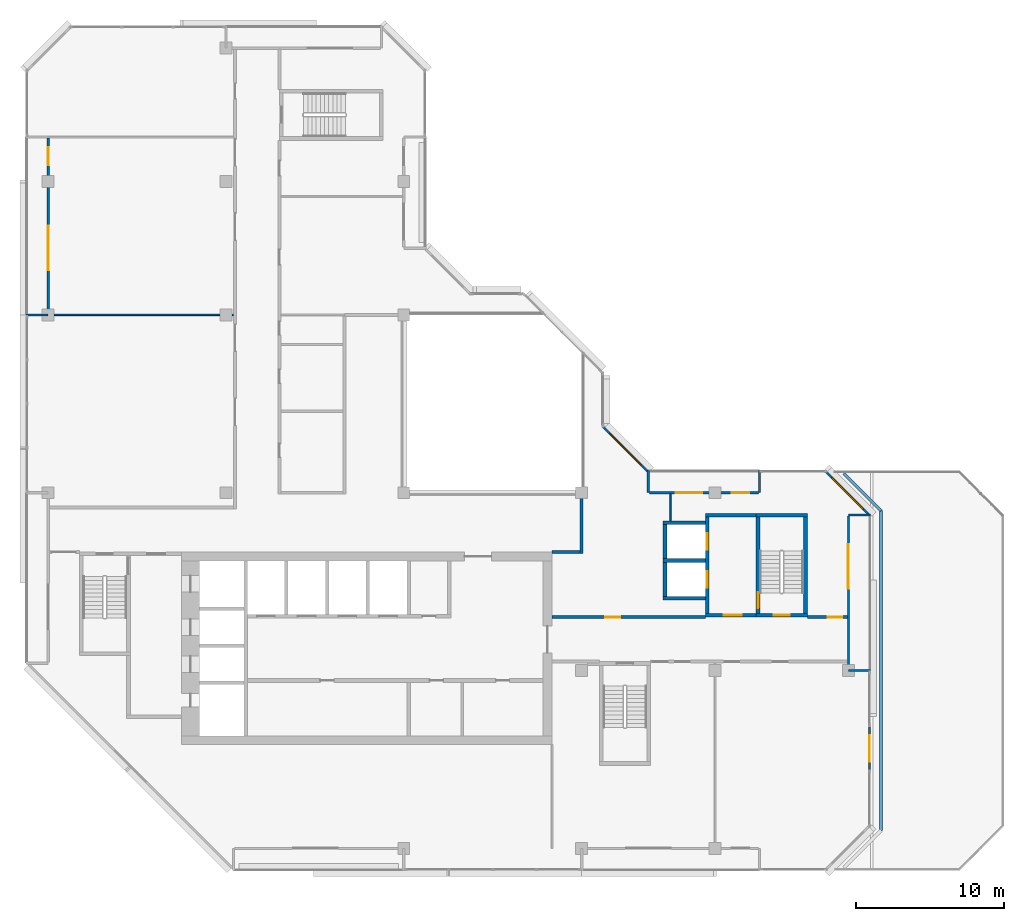
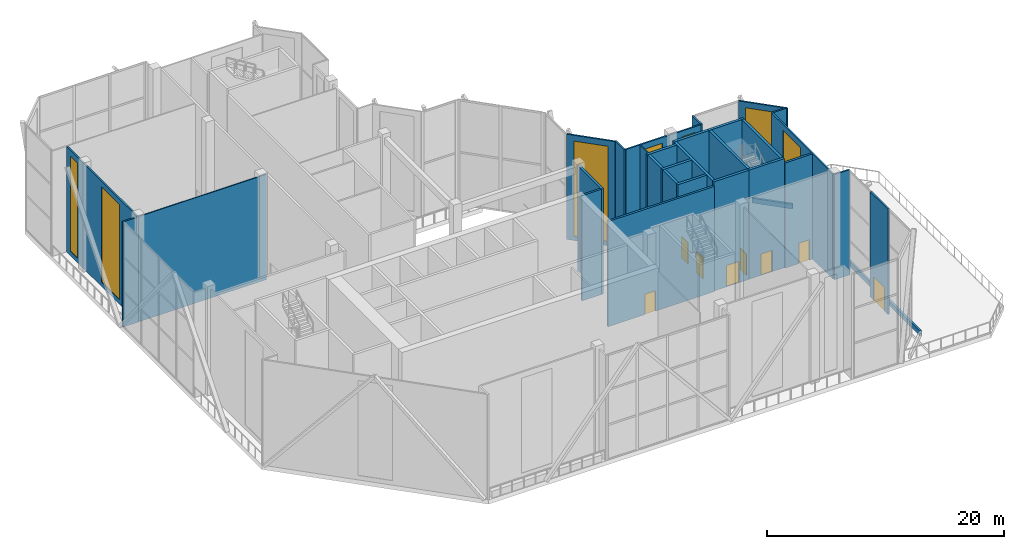
# One storey, part 10 of 16: 31 walls, 8 doors, 7 windows, 15 openings.
"""IFC4 building model written with IfcOpenShell, lengths in metres."""

from ifc_helpers import new_model, si_unit, direction, frame, frame_2d, origin, place, context, subcontext, project, spatial, rectangle, extrude, material, layer, layer_set, type_object, element, fill, save


model = new_model("IFC4")

# Units and contexts
model_context = context("Model", 3, precision=1e-05, world=origin(), true_north=direction((0.0, 1.0)))
body_context = subcontext(model_context, "Body", "Model", "MODEL_VIEW")
ifc_project = project(units=[si_unit("LENGTHUNIT", "METRE"), si_unit("AREAUNIT", "SQUARE_METRE"), si_unit("VOLUMEUNIT", "CUBIC_METRE"), si_unit("PLANEANGLEUNIT", "RADIAN"), si_unit("MASSUNIT", "GRAM", prefix="KILO")], contexts=[model_context])

# Site, building, storey
site_placement = place(None, origin())
site = spatial("IfcSite", under=ifc_project, at=site_placement, CompositionType="ELEMENT")
building_placement = place(site_placement, origin())
building = spatial("IfcBuilding", under=site, at=building_placement, Name="Chenar Terraces", CompositionType="ELEMENT")
storey_placement = place(building_placement, frame((0.0, 0.0, 327.64990234375)))
storey = spatial("IfcBuildingStorey", under=building, at=storey_placement, Name="L77", CompositionType="ELEMENT", Elevation=327.64990234375)

# Wall, opening, door
ifc_material_1 = material(Name="Concrete C50/60", Category="concrete")
ifc_layer_1 = layer(ifc_material_1, 0.25)
ifc_layer_set_1 = layer_set([ifc_layer_1], Name="Concrete C50/60")
wall_type_1 = type_object("IfcWallType", Name="Core wall 250 Concrete C50/60", PredefinedType="SHEAR", material=ifc_layer_set_1)
wall_1_placement = place(storey_placement, frame((47.77490234375, 15.72509765625, 0.0), z_axis=(0.0, 0.0, 1.0), x_axis=(1.0, 0.0, 0.0)))
wall_1 = element("IfcWall", 1, at=wall_1_placement, inside=storey, type_object=wall_type_1, Name="Core wall ST3_S L77", PredefinedType="SHEAR", context=body_context, shape_type="SweptSolid", body=[
    extrude(rectangle(XDim=3.4501953125, YDim=0.25, at=frame_2d((1.72509765625, 0.0))), origin(), (0.0, 0.0, 1.0), 11.25),
])
opening_1_placement = place(wall_1_placement, frame((1.175048828125, 0.0, 0.0)))
opening_1 = element("IfcOpeningElement", 2, at=opening_1_placement, cuts=wall_1, Name="Opening DL77-C8", PredefinedType="OPENING", context=body_context, shape_type="SweptSolid", body=[
    extrude(rectangle(XDim=1.10009765625, YDim=2.199951171875, at=frame_2d((0.550048828125, 1.10009765625))), frame((0.0, 0.135009765625, 0.0), z_axis=(0.0, -1.0, 0.0), x_axis=(1.0, 0.0, 0.0)), (0.0, 0.0, 1.0), 0.27001953125),
])
ifc_material_2 = material(Name="Steel-framed fire-resisting door leaf", Category="steel")
door_type_1 = type_object("IfcDoorType", Name="Stair fire door FD60 1100 x 2200", OperationType="SINGLE_SWING_LEFT", PredefinedType="DOOR", material=ifc_material_2)
door_1_placement = place(opening_1_placement, frame((1.10009765625, 0.0, 0.0), z_axis=(0.0, 0.0, 1.0), x_axis=(-1.0, 0.0, 0.0)))
door_1 = element("IfcDoor", 3, at=door_1_placement, inside=storey, type_object=door_type_1, Name="Stair door DL77-C8", OperationType="SINGLE_SWING_LEFT", OverallHeight=2.199951171875, OverallWidth=1.10009765625, PredefinedType="DOOR", context=body_context, shape_type="SweptSolid", body=[
    extrude(rectangle(XDim=1.10009765625, YDim=2.199951171875, at=frame_2d((0.550048828125, 1.10009765625))), frame((0.0, 0.02490234375, 0.0), z_axis=(0.0, -1.0, 0.0), x_axis=(1.0, 0.0, 0.0)), (0.0, 0.0, 1.0), 0.050048828125),
])
fill(opening_1, door_1)

# Wall
wall_2_placement = place(storey_placement, frame((47.77490234375, 22.47509765625, 0.0), z_axis=(0.0, 0.0, 1.0), x_axis=(1.0, 0.0, 0.0)))
element("IfcWall", 4, at=wall_2_placement, inside=storey, type_object=wall_type_1, Name="Core wall ST3_N L77", PredefinedType="SHEAR", context=body_context, shape_type="SweptSolid", body=[
    extrude(rectangle(XDim=3.4501953125, YDim=0.25, at=frame_2d((1.72509765625, 0.0))), origin(), (0.0, 0.0, 1.0), 11.25),
])

# Wall, opening, door
wall_3_placement = place(storey_placement, frame((47.89990234375, 15.85009765625, 0.0), z_axis=(0.0, 0.0, 1.0), x_axis=(0.0, 1.0, 0.0)))
wall_3 = element("IfcWall", 5, at=wall_3_placement, inside=storey, type_object=wall_type_1, Name="Core wall ST3_W L77", PredefinedType="SHEAR", context=body_context, shape_type="SweptSolid", body=[
    extrude(rectangle(XDim=6.5, YDim=0.25, at=frame_2d((3.25, 0.0))), origin(), (0.0, 0.0, 1.0), 11.25),
])
opening_2_placement = place(wall_3_placement, frame((0.35009765625, 0.0, 0.0)))
opening_2 = element("IfcOpeningElement", 6, at=opening_2_placement, cuts=wall_3, Name="Opening DL77-C11", PredefinedType="OPENING", context=body_context, shape_type="SweptSolid", body=[
    extrude(rectangle(XDim=1.10009765625, YDim=2.199951171875, at=frame_2d((0.550048828125, 1.10009765625))), frame((0.0, 0.135009765625, 0.0), z_axis=(0.0, -1.0, 0.0), x_axis=(1.0, 0.0, 0.0)), (0.0, 0.0, 1.0), 0.27001953125),
])
door_2_placement = place(opening_2_placement, frame((1.10009765625, 0.0, 0.0), z_axis=(0.0, 0.0, 1.0), x_axis=(-1.0, 0.0, 0.0)))
door_2 = element("IfcDoor", 7, at=door_2_placement, inside=storey, type_object=door_type_1, Name="Stair door DL77-C11", OperationType="SINGLE_SWING_RIGHT", OverallHeight=2.199951171875, OverallWidth=1.10009765625, PredefinedType="DOOR", context=body_context, shape_type="SweptSolid", body=[
    extrude(rectangle(XDim=1.10009765625, YDim=2.199951171875, at=frame_2d((0.550048828125, 1.10009765625))), frame((0.0, 0.02490234375, 0.0), z_axis=(0.0, -1.0, 0.0), x_axis=(1.0, 0.0, 0.0)), (0.0, 0.0, 1.0), 0.050048828125),
])
fill(opening_2, door_2)

# Wall
wall_4_placement = place(storey_placement, frame((51.10009765625, 15.85009765625, 0.0), z_axis=(0.0, 0.0, 1.0), x_axis=(0.0, 1.0, 0.0)))
element("IfcWall", 8, at=wall_4_placement, inside=storey, type_object=wall_type_1, Name="Core wall ST3_E L77", PredefinedType="SHEAR", context=body_context, shape_type="SweptSolid", body=[
    extrude(rectangle(XDim=6.5, YDim=0.25, at=frame_2d((3.25, 0.0))), origin(), (0.0, 0.0, 1.0), 11.25),
])

# Wall, opening, door
wall_5_placement = place(storey_placement, frame((44.35009765625, 15.72509765625, 0.0), z_axis=(0.0, 0.0, 1.0), x_axis=(1.0, 0.0, 0.0)))
wall_5 = element("IfcWall", 9, at=wall_5_placement, inside=storey, type_object=wall_type_1, Name="Core wall F3_LS L77", PredefinedType="SHEAR", context=body_context, shape_type="SweptSolid", body=[
    extrude(rectangle(XDim=3.4248046875, YDim=0.25, at=frame_2d((1.71240234375, 0.0))), origin(), (0.0, 0.0, 1.0), 11.25),
])
opening_3_placement = place(wall_5_placement, frame((1.25, 0.0, 0.0)))
opening_3 = element("IfcOpeningElement", 10, at=opening_3_placement, cuts=wall_5, Name="Opening DL77-C10", PredefinedType="OPENING", context=body_context, shape_type="SweptSolid", body=[
    extrude(rectangle(XDim=1.199951171875, YDim=2.199951171875, at=frame_2d((0.60009765625, 1.10009765625))), frame((0.0, 0.135009765625, 0.0), z_axis=(0.0, -1.0, 0.0), x_axis=(1.0, 0.0, 0.0)), (0.0, 0.0, 1.0), 0.27001953125),
])
ifc_material_3 = material(Name="Steel-framed fire-resisting door leaf", Category="steel")
door_type_2 = type_object("IfcDoorType", Name="Lobby fire door FD60 1200 x 2200", OperationType="SINGLE_SWING_LEFT", PredefinedType="DOOR", material=ifc_material_3)
door_3_placement = place(opening_3_placement, origin())
door_3 = element("IfcDoor", 11, at=door_3_placement, inside=storey, type_object=door_type_2, Name="Core door DL77-C10", OperationType="SINGLE_SWING_RIGHT", OverallHeight=2.199951171875, OverallWidth=1.199951171875, PredefinedType="DOOR", context=body_context, shape_type="SweptSolid", body=[
    extrude(rectangle(XDim=1.199951171875, YDim=2.199951171875, at=frame_2d((0.60009765625, 1.10009765625))), frame((0.0, 0.02490234375, 0.0), z_axis=(0.0, -1.0, 0.0), x_axis=(1.0, 0.0, 0.0)), (0.0, 0.0, 1.0), 0.050048828125),
])
fill(opening_3, door_3)

# Wall
wall_6_placement = place(storey_placement, frame((44.35009765625, 22.47509765625, 0.0), z_axis=(0.0, 0.0, 1.0), x_axis=(1.0, 0.0, 0.0)))
element("IfcWall", 12, at=wall_6_placement, inside=storey, type_object=wall_type_1, Name="Core wall F3_LN L77", PredefinedType="SHEAR", context=body_context, shape_type="SweptSolid", body=[
    extrude(rectangle(XDim=3.4248046875, YDim=0.25, at=frame_2d((1.71240234375, 0.0))), origin(), (0.0, 0.0, 1.0), 11.25),
])

# Wall, openings, doors
wall_7_placement = place(storey_placement, frame((44.47509765625, 15.85009765625, 0.0), z_axis=(0.0, 0.0, 1.0), x_axis=(0.0, 1.0, 0.0)))
wall_7 = element("IfcWall", 13, at=wall_7_placement, inside=storey, type_object=wall_type_1, Name="Core wall F3_LW L77", PredefinedType="SHEAR", context=body_context, shape_type="SweptSolid", body=[
    extrude(rectangle(XDim=6.5, YDim=0.25, at=frame_2d((3.25, 0.0))), origin(), (0.0, 0.0, 1.0), 11.25),
])
opening_4_placement = place(wall_7_placement, frame((1.75, 0.0, 0.0)))
opening_4 = element("IfcOpeningElement", 14, at=opening_4_placement, cuts=wall_7, Name="Opening DL77-LD8", PredefinedType="OPENING", context=body_context, shape_type="SweptSolid", body=[
    extrude(rectangle(XDim=1.10009765625, YDim=2.199951171875, at=frame_2d((0.550048828125, 1.10009765625))), frame((0.0, 0.135009765625, 0.0), z_axis=(0.0, -1.0, 0.0), x_axis=(1.0, 0.0, 0.0)), (0.0, 0.0, 1.0), 0.27001953125),
])
opening_5_placement = place(wall_7_placement, frame((4.300048828125, 0.0, 0.0)))
opening_5 = element("IfcOpeningElement", 15, at=opening_5_placement, cuts=wall_7, Name="Opening DL77-LD9", PredefinedType="OPENING", context=body_context, shape_type="SweptSolid", body=[
    extrude(rectangle(XDim=1.10009765625, YDim=2.199951171875, at=frame_2d((0.550048828125, 1.10009765625))), frame((0.0, 0.135009765625, 0.0), z_axis=(0.0, -1.0, 0.0), x_axis=(1.0, 0.0, 0.0)), (0.0, 0.0, 1.0), 0.27001953125),
])
ifc_material_4 = material(Name="Stainless steel", Category="steel")
door_type_3 = type_object("IfcDoorType", Name="Lift landing door 1100 x 2200 sliding", OperationType="DOUBLE_DOOR_SLIDING", PredefinedType="DOOR", material=ifc_material_4)
door_4_placement = place(opening_4_placement, origin())
door_4 = element("IfcDoor", 16, at=door_4_placement, inside=storey, type_object=door_type_3, Name="Landing door F3", OperationType="DOUBLE_DOOR_SLIDING", OverallHeight=2.199951171875, OverallWidth=1.10009765625, PredefinedType="DOOR", context=body_context, shape_type="SweptSolid", body=[
    extrude(rectangle(XDim=1.10009765625, YDim=2.199951171875, at=frame_2d((0.550048828125, 1.10009765625))), frame((0.0, 0.02490234375, 0.0), z_axis=(0.0, -1.0, 0.0), x_axis=(1.0, 0.0, 0.0)), (0.0, 0.0, 1.0), 0.050048828125),
])
fill(opening_4, door_4)
door_5_placement = place(opening_5_placement, origin())
door_5 = element("IfcDoor", 17, at=door_5_placement, inside=storey, type_object=door_type_3, Name="Landing door F4", OperationType="DOUBLE_DOOR_SLIDING", OverallHeight=2.199951171875, OverallWidth=1.10009765625, PredefinedType="DOOR", context=body_context, shape_type="SweptSolid", body=[
    extrude(rectangle(XDim=1.10009765625, YDim=2.199951171875, at=frame_2d((0.550048828125, 1.10009765625))), frame((0.0, 0.02490234375, 0.0), z_axis=(0.0, -1.0, 0.0), x_axis=(1.0, 0.0, 0.0)), (0.0, 0.0, 1.0), 0.050048828125),
])
fill(opening_5, door_5)

# Walls
for number, where, z_axis, x_axis, name in (
    (18, (41.5, 16.875, 0.0), (0.0, 0.0, 1.0), (1.0, 0.0, 0.0), "Core wall F3_SS L77"),
    (19, (41.5, 19.425048828125, 0.0), (0.0, 0.0, 1.0), (1.0, 0.0, 0.0), "Core wall F3_SM L77"),
    (20, (41.5, 21.97509765625, 0.0), (0.0, 0.0, 1.0), (1.0, 0.0, 0.0), "Core wall F4_SN L77"),
):
    element("IfcWall", number, at=place(storey_placement, frame(where, z_axis=z_axis, x_axis=x_axis)), inside=storey, type_object=wall_type_1, Name=name, PredefinedType="SHEAR", context=body_context, shape_type="SweptSolid", body=[
        extrude(rectangle(XDim=2.85009765625, YDim=0.25, at=frame_2d((1.425048828125, 0.0))), origin(), (0.0, 0.0, 1.0), 11.25),
    ])
for number, where, z_axis, x_axis, name in (
    (21, (41.625, 17.0, 0.0), (0.0, 0.0, 1.0), (0.0, 1.0, 0.0), "Core wall F3_SW L77"),
    (22, (41.625, 19.550048828125, 0.0), (0.0, 0.0, 1.0), (0.0, 1.0, 0.0), "Core wall F4_SW L77"),
):
    element("IfcWall", number, at=place(storey_placement, frame(where, z_axis=z_axis, x_axis=x_axis)), inside=storey, type_object=wall_type_1, Name=name, PredefinedType="SHEAR", context=body_context, shape_type="SweptSolid", body=[
        extrude(rectangle(XDim=2.300048828125, YDim=0.25, at=frame_2d((1.14990234375, 0.0))), origin(), (0.0, 0.0, 1.0), 11.25),
    ])

# Wall, opening, door
ifc_material_5 = material(Name="Gypsum board on steel studs with fire boards", Category="steel")
ifc_layer_2 = layer(ifc_material_5, 0.199951171875)
ifc_layer_set_2 = layer_set([ifc_layer_2], Name="Gypsum board on steel studs with fire boards")
wall_type_2 = type_object("IfcWallType", Name="Corridor wall 200", PredefinedType="PARTITIONING", material=ifc_layer_set_2)
wall_8_placement = place(storey_placement, frame((34.0, 15.60009765625, 0.0), z_axis=(0.0, 0.0, 1.0), x_axis=(1.0, 0.0, 0.0)))
wall_8 = element("IfcWall", 23, at=wall_8_placement, inside=storey, type_object=wall_type_2, Name="Partition L77-017", PredefinedType="PARTITIONING", context=body_context, shape_type="SweptSolid", body=[
    extrude(rectangle(XDim=10.35009765625, YDim=0.199951171875, at=frame_2d((5.175048828125, 0.0))), origin(), (0.0, 0.0, 1.0), 10.85009765625),
])
opening_6_placement = place(wall_8_placement, frame((3.60009765625, 0.0, 0.0)))
opening_6 = element("IfcOpeningElement", 24, at=opening_6_placement, cuts=wall_8, Name="Opening DL77-1", PredefinedType="OPENING", context=body_context, shape_type="SweptSolid", body=[
    extrude(rectangle(XDim=1.0, YDim=2.10009765625, at=frame_2d((0.5, 1.050048828125))), frame((0.0, 0.10986328125, 0.0), z_axis=(0.0, -1.0, 0.0), x_axis=(1.0, 0.0, 0.0)), (0.0, 0.0, 1.0), 0.219970703125),
])
ifc_material_6 = material(Name="Steel-framed fire-resisting door leaf", Category="steel")
door_type_4 = type_object("IfcDoorType", Name="Fire door FD60 1000 x 2100", OperationType="SINGLE_SWING_LEFT", PredefinedType="DOOR", material=ifc_material_6)
door_6_placement = place(opening_6_placement, origin())
door_6 = element("IfcDoor", 25, at=door_6_placement, inside=storey, type_object=door_type_4, Name="Door DL77-1", OperationType="SINGLE_SWING_RIGHT", OverallHeight=2.10009765625, OverallWidth=1.0, PredefinedType="DOOR", context=body_context, shape_type="SweptSolid", body=[
    extrude(rectangle(XDim=1.0, YDim=2.10009765625, at=frame_2d((0.5, 1.050048828125))), frame((0.0, 0.02490234375, 0.0), z_axis=(0.0, -1.0, 0.0), x_axis=(1.0, 0.0, 0.0)), (0.0, 0.0, 1.0), 0.050048828125),
])
fill(opening_6, door_6)

# Walls
wall_9_placement = place(storey_placement, frame((34.0, 20.0, 0.0), z_axis=(0.0, 0.0, 1.0), x_axis=(1.0, 0.0, 0.0)))
element("IfcWall", 26, at=wall_9_placement, inside=storey, type_object=wall_type_2, Name="Partition L77-018", PredefinedType="PARTITIONING", context=body_context, shape_type="SweptSolid", body=[
    extrude(rectangle(XDim=1.89990234375, YDim=0.199951171875, at=frame_2d((0.949951171875, 0.0))), origin(), (0.0, 0.0, 1.0), 10.85009765625),
])
wall_10_placement = place(storey_placement, frame((36.0, 19.89990234375, 0.0), z_axis=(0.0, 0.0, 1.0), x_axis=(0.0, 1.0, 0.0)))
element("IfcWall", 27, at=wall_10_placement, inside=storey, type_object=wall_type_2, Name="Partition L77-019", PredefinedType="PARTITIONING", context=body_context, shape_type="SweptSolid", body=[
    extrude(rectangle(XDim=4.10009765625, YDim=0.199951171875, at=frame_2d((2.050048828125, 0.0))), origin(), (0.0, 0.0, 1.0), 10.85009765625),
])

# Wall, opening, door
wall_11_placement = place(storey_placement, frame((51.22509765625, 15.60009765625, 0.0), z_axis=(0.0, 0.0, 1.0), x_axis=(1.0, 0.0, 0.0)))
wall_11 = element("IfcWall", 28, at=wall_11_placement, inside=storey, type_object=wall_type_2, Name="Partition L77-023", PredefinedType="PARTITIONING", context=body_context, shape_type="SweptSolid", body=[
    extrude(rectangle(XDim=2.700927734375, YDim=0.199951171875, at=frame_2d((1.3505859375, 0.0))), origin(), (0.0, 0.0, 1.0), 10.85009765625),
])
opening_7_placement = place(wall_11_placement, frame((1.375, 0.0, 0.0)))
opening_7 = element("IfcOpeningElement", 29, at=opening_7_placement, cuts=wall_11, Name="Opening DL77-2", PredefinedType="OPENING", context=body_context, shape_type="SweptSolid", body=[
    extrude(rectangle(XDim=1.0, YDim=2.10009765625, at=frame_2d((0.5, 1.050048828125))), frame((0.0, 0.10986328125, 0.0), z_axis=(0.0, -1.0, 0.0), x_axis=(1.0, 0.0, 0.0)), (0.0, 0.0, 1.0), 0.219970703125),
])
door_7_placement = place(opening_7_placement, origin())
door_7 = element("IfcDoor", 30, at=door_7_placement, inside=storey, type_object=door_type_4, Name="Door DL77-2", OperationType="SINGLE_SWING_RIGHT", OverallHeight=2.10009765625, OverallWidth=1.0, PredefinedType="DOOR", context=body_context, shape_type="SweptSolid", body=[
    extrude(rectangle(XDim=1.0, YDim=2.10009765625, at=frame_2d((0.5, 1.050048828125))), frame((0.0, 0.02490234375, 0.0), z_axis=(0.0, -1.0, 0.0), x_axis=(1.0, 0.0, 0.0)), (0.0, 0.0, 1.0), 0.050048828125),
])
fill(opening_7, door_7)

ifc_material_7 = material(Name="Aluminium framed glazing", Category="aluminium")
ifc_layer_3 = layer(ifc_material_7, 0.14990234375)
ifc_layer_set_3 = layer_set([ifc_layer_3], Name="Aluminium framed glazing")
wall_type_3 = type_object("IfcWallType", Name="Glazed flush facade wall 150", PredefinedType="SOLIDWALL", material=ifc_layer_set_3)
wall_12_placement = place(storey_placement, frame((55.425048828125, 5.25, 0.0), z_axis=(0.0, 0.0, 1.0), x_axis=(0.0, 1.0, 0.0)))
wall_12 = element("IfcWall", 31, at=wall_12_placement, inside=storey, type_object=wall_type_3, Name="Glazed flush facade wall", PredefinedType="SOLIDWALL", context=body_context, shape_type="SweptSolid", body=[
    extrude(rectangle(XDim=3.0, YDim=0.14990234375, at=frame_2d((1.5, 0.0))), origin(), (0.0, 0.0, 1.0), 10.85009765625),
])
opening_8_placement = place(wall_12_placement, frame((0.60009765625, 0.0, 0.0)))
opening_8 = element("IfcOpeningElement", 32, at=opening_8_placement, cuts=wall_12, Name="Opening DL77-S35", PredefinedType="OPENING", context=body_context, shape_type="SweptSolid", body=[
    extrude(rectangle(XDim=1.800048828125, YDim=2.39990234375, at=frame_2d((0.89990234375, 1.199951171875))), frame((0.0, 0.0849609375, 0.0), z_axis=(0.0, -1.0, 0.0), x_axis=(1.0, 0.0, 0.0)), (0.0, 0.0, 1.0), 0.169921875),
])
ifc_material_8 = material(Name="Low emissivity double glazing, aluminium frame", Category="aluminium")
door_type_5 = type_object("IfcDoorType", Name="Terrace glazed double door 1800 x 2400", OperationType="DOUBLE_DOOR_SINGLE_SWING", PredefinedType="DOOR", material=ifc_material_8)
door_8_placement = place(opening_8_placement, origin())
door_8 = element("IfcDoor", 33, at=door_8_placement, inside=storey, type_object=door_type_5, Name="Terrace glazed door", OperationType="DOUBLE_DOOR_SINGLE_SWING", OverallHeight=2.39990234375, OverallWidth=1.800048828125, PredefinedType="DOOR", context=body_context, shape_type="SweptSolid", body=[
    extrude(rectangle(XDim=1.800048828125, YDim=2.39990234375, at=frame_2d((0.89990234375, 1.199951171875))), frame((0.0, 0.02490234375, 0.0), z_axis=(0.0, -1.0, 0.0), x_axis=(1.0, 0.0, 0.0)), (0.0, 0.0, 1.0), 0.050048828125),
])
fill(opening_8, door_8)

# Wall, openings, windows
ifc_material_9 = material(Name="Aluminium framed glazing", Category="aluminium")
ifc_layer_4 = layer(ifc_material_9, 0.14990234375)
ifc_layer_set_4 = layer_set([ifc_layer_4], Name="Aluminium framed glazing")
wall_type_4 = type_object("IfcWallType", Name="Glazed loggia back wall 150", PredefinedType="SOLIDWALL", material=ifc_layer_set_4)
wall_13_placement = place(storey_placement, frame((47.925048828125, 24.0, 0.0), z_axis=(0.0, 0.0, 1.0), x_axis=(-1.0, 0.0, 0.0)))
wall_13 = element("IfcWall", 34, at=wall_13_placement, inside=storey, type_object=wall_type_4, Name="Glazed loggia back wall", PredefinedType="SOLIDWALL", context=body_context, shape_type="SweptSolid", body=[
    extrude(rectangle(XDim=7.35009765625, YDim=0.14990234375, at=frame_2d((3.675048828125, 0.0))), origin(), (0.0, 0.0, 1.0), 10.85009765625),
])
opening_9_placement = place(wall_13_placement, frame((0.612548828125, 0.0, 0.449951171875)))
opening_9 = element("IfcOpeningElement", 35, at=opening_9_placement, cuts=wall_13, Name="Opening W120x980", PredefinedType="OPENING", context=body_context, shape_type="SweptSolid", body=[
    extrude(rectangle(XDim=1.199951171875, YDim=9.800048828125, at=frame_2d((0.60009765625, 4.89990234375))), frame((0.0, 0.0849609375, 0.0), z_axis=(0.0, -1.0, 0.0), x_axis=(1.0, 0.0, 0.0)), (0.0, 0.0, 1.0), 0.169921875),
])
opening_10_placement = place(wall_13_placement, frame((3.77490234375, 0.0, 0.449951171875)))
opening_10 = element("IfcOpeningElement", 36, at=opening_10_placement, cuts=wall_13, Name="Opening W180x980", PredefinedType="OPENING", context=body_context, shape_type="SweptSolid", body=[
    extrude(rectangle(XDim=1.800048828125, YDim=9.800048828125, at=frame_2d((0.89990234375, 4.89990234375))), frame((0.0, 0.0849609375, 0.0), z_axis=(0.0, -1.0, 0.0), x_axis=(1.0, 0.0, 0.0)), (0.0, 0.0, 1.0), 0.169921875),
])
ifc_material_10 = material(Name="Low emissivity double glazing, aluminium frame", Category="aluminium")
window_type_1 = type_object("IfcWindowType", Name="Fixed light 1200 x 9800", PartitioningType="SINGLE_PANEL", PredefinedType="WINDOW", material=ifc_material_10)
window_1_placement = place(opening_9_placement, origin())
window_1 = element("IfcWindow", 37, at=window_1_placement, inside=storey, type_object=window_type_1, Name="Window", OverallHeight=9.800048828125, OverallWidth=1.199951171875, PartitioningType="SINGLE_PANEL", PredefinedType="WINDOW", context=body_context, shape_type="SweptSolid", body=[
    extrude(rectangle(XDim=1.199951171875, YDim=9.800048828125, at=frame_2d((0.60009765625, 4.89990234375))), frame((0.0, 0.030029296875, 0.0), z_axis=(0.0, -1.0, 0.0), x_axis=(1.0, 0.0, 0.0)), (0.0, 0.0, 1.0), 0.06005859375),
])
fill(opening_9, window_1)
ifc_material_11 = material(Name="Low emissivity double glazing, aluminium frame", Category="aluminium")
window_type_2 = type_object("IfcWindowType", Name="Fixed light 1800 x 9800", PartitioningType="SINGLE_PANEL", PredefinedType="WINDOW", material=ifc_material_11)
window_2_placement = place(opening_10_placement, origin())
window_2 = element("IfcWindow", 38, at=window_2_placement, inside=storey, type_object=window_type_2, Name="Window", OverallHeight=9.800048828125, OverallWidth=1.800048828125, PartitioningType="SINGLE_PANEL", PredefinedType="WINDOW", context=body_context, shape_type="SweptSolid", body=[
    extrude(rectangle(XDim=1.800048828125, YDim=9.800048828125, at=frame_2d((0.89990234375, 4.89990234375))), frame((0.0, 0.030029296875, 0.0), z_axis=(0.0, -1.0, 0.0), x_axis=(1.0, 0.0, 0.0)), (0.0, 0.0, 1.0), 0.06005859375),
])
fill(opening_10, window_2)

wall_14_placement = place(storey_placement, frame((0.0, 47.925048828125, 0.0), z_axis=(0.0, 0.0, 1.0), x_axis=(0.0, -1.0, 0.0)))
wall_14 = element("IfcWall", 39, at=wall_14_placement, inside=storey, type_object=wall_type_4, Name="Glazed loggia back wall", PredefinedType="SOLIDWALL", context=body_context, shape_type="SweptSolid", body=[
    extrude(rectangle(XDim=11.85009765625, YDim=0.14990234375, at=frame_2d((5.925048828125, 0.0))), origin(), (0.0, 0.0, 1.0), 10.85009765625),
])
opening_11_placement = place(wall_14_placement, frame((0.612548828125, 0.0, 0.449951171875)))
opening_11 = element("IfcOpeningElement", 40, at=opening_11_placement, cuts=wall_14, Name="Opening W120x980", PredefinedType="OPENING", context=body_context, shape_type="SweptSolid", body=[
    extrude(rectangle(XDim=1.199951171875, YDim=9.800048828125, at=frame_2d((0.60009765625, 4.89990234375))), frame((0.0, 0.0849609375, 0.0), z_axis=(0.0, -1.0, 0.0), x_axis=(1.0, 0.0, 0.0)), (0.0, 0.0, 1.0), 0.169921875),
])
opening_12_placement = place(wall_14_placement, frame((5.925048828125, 0.0, 0.449951171875)))
opening_12 = element("IfcOpeningElement", 41, at=opening_12_placement, cuts=wall_14, Name="Opening W300x980", PredefinedType="OPENING", context=body_context, shape_type="SweptSolid", body=[
    extrude(rectangle(XDim=3.0, YDim=9.800048828125, at=frame_2d((1.5, 4.89990234375))), frame((0.0, 0.0849609375, 0.0), z_axis=(0.0, -1.0, 0.0), x_axis=(1.0, 0.0, 0.0)), (0.0, 0.0, 1.0), 0.169921875),
])
window_3_placement = place(opening_11_placement, origin())
window_3 = element("IfcWindow", 42, at=window_3_placement, inside=storey, type_object=window_type_1, Name="Window", OverallHeight=9.800048828125, OverallWidth=1.199951171875, PartitioningType="SINGLE_PANEL", PredefinedType="WINDOW", context=body_context, shape_type="SweptSolid", body=[
    extrude(rectangle(XDim=1.199951171875, YDim=9.800048828125, at=frame_2d((0.60009765625, 4.89990234375))), frame((0.0, 0.030029296875, 0.0), z_axis=(0.0, -1.0, 0.0), x_axis=(1.0, 0.0, 0.0)), (0.0, 0.0, 1.0), 0.06005859375),
])
fill(opening_11, window_3)
ifc_material_12 = material(Name="Low emissivity double glazing, aluminium frame", Category="aluminium")
window_type_3 = type_object("IfcWindowType", Name="Fixed light 3000 x 9800", PartitioningType="SINGLE_PANEL", PredefinedType="WINDOW", material=ifc_material_12)
window_4_placement = place(opening_12_placement, origin())
window_4 = element("IfcWindow", 43, at=window_4_placement, inside=storey, type_object=window_type_3, Name="Window", OverallHeight=9.800048828125, OverallWidth=3.0, PartitioningType="SINGLE_PANEL", PredefinedType="WINDOW", context=body_context, shape_type="SweptSolid", body=[
    extrude(rectangle(XDim=3.0, YDim=9.800048828125, at=frame_2d((1.5, 4.89990234375))), frame((0.0, 0.030029296875, 0.0), z_axis=(0.0, -1.0, 0.0), x_axis=(1.0, 0.0, 0.0)), (0.0, 0.0, 1.0), 0.06005859375),
])
fill(opening_12, window_4)

# Wall, opening, window
wall_15_placement = place(storey_placement, frame((54.0, 12.074951171875, 0.0), z_axis=(0.0, 0.0, 1.0), x_axis=(0.0, 1.0, 0.0)))
wall_15 = element("IfcWall", 44, at=wall_15_placement, inside=storey, type_object=wall_type_4, Name="Glazed loggia back wall", PredefinedType="SOLIDWALL", context=body_context, shape_type="SweptSolid", body=[
    extrude(rectangle(XDim=10.35009765625, YDim=0.14990234375, at=frame_2d((5.175048828125, 0.0))), origin(), (0.0, 0.0, 1.0), 10.85009765625),
])
opening_13_placement = place(wall_15_placement, frame((5.4375, 0.0, 0.449951171875)))
opening_13 = element("IfcOpeningElement", 45, at=opening_13_placement, cuts=wall_15, Name="Opening W300x980", PredefinedType="OPENING", context=body_context, shape_type="SweptSolid", body=[
    extrude(rectangle(XDim=3.0, YDim=9.800048828125, at=frame_2d((1.5, 4.89990234375))), frame((0.0, 0.0849609375, 0.0), z_axis=(0.0, -1.0, 0.0), x_axis=(1.0, 0.0, 0.0)), (0.0, 0.0, 1.0), 0.169921875),
])
window_5_placement = place(opening_13_placement, origin())
window_5 = element("IfcWindow", 46, at=window_5_placement, inside=storey, type_object=window_type_3, Name="Window", OverallHeight=9.800048828125, OverallWidth=3.0, PartitioningType="SINGLE_PANEL", PredefinedType="WINDOW", context=body_context, shape_type="SweptSolid", body=[
    extrude(rectangle(XDim=3.0, YDim=9.800048828125, at=frame_2d((1.5, 4.89990234375))), frame((0.0, 0.030029296875, 0.0), z_axis=(0.0, -1.0, 0.0), x_axis=(1.0, 0.0, 0.0)), (0.0, 0.0, 1.0), 0.06005859375),
])
fill(opening_13, window_5)

# Walls
ifc_material_13 = material(Name="Gypsum board on steel studs", Category="steel")
ifc_layer_5 = layer(ifc_material_13, 0.10009765625)
ifc_layer_set_5 = layer_set([ifc_layer_5], Name="Gypsum board on steel studs")
wall_type_5 = type_object("IfcWallType", Name="Gypsum partition 100", PredefinedType="PARTITIONING", material=ifc_layer_set_5)
wall_16_placement = place(storey_placement, frame((0.0, 36.0, 0.0), z_axis=(0.0, 0.0, 1.0), x_axis=(1.0, 0.0, 0.0)))
element("IfcWall", 47, at=wall_16_placement, inside=storey, type_object=wall_type_5, Name="Partition L77-001", PredefinedType="PARTITIONING", context=body_context, shape_type="SweptSolid", body=[
    extrude(rectangle(XDim=12.5, YDim=0.10009765625, at=frame_2d((6.25, 0.0))), origin(), (0.0, 0.0, 1.0), 10.85009765625),
])
wall_17_placement = place(storey_placement, frame((42.0, 22.10009765625, 0.0), z_axis=(0.0, 0.0, 1.0), x_axis=(0.0, 1.0, 0.0)))
element("IfcWall", 48, at=wall_17_placement, inside=storey, type_object=wall_type_5, Name="Partition L77-021", PredefinedType="PARTITIONING", context=body_context, shape_type="SweptSolid", body=[
    extrude(rectangle(XDim=1.825927734375, YDim=0.10009765625, at=frame_2d((0.9130859375, 0.0))), origin(), (0.0, 0.0, 1.0), 10.85009765625),
])
ifc_material_14 = material(Name="Terracotta cladding on insulated backing", Category="masonry")
ifc_layer_6 = layer(ifc_material_14, 0.14990234375)
ifc_layer_set_6 = layer_set([ifc_layer_6], Name="Terracotta cladding on insulated backing")
wall_type_6 = type_object("IfcWallType", Name="Loggia return wall 150", PredefinedType="SOLIDWALL", material=ifc_layer_set_6)
for number, where, z_axis, x_axis, name in (
    (49, (48.0, 25.5, 0.0), (0.0, 0.0, 1.0), (0.0, -1.0, 0.0), "Loggia return wall"),
    (50, (40.5, 25.5, 0.0), (0.0, 0.0, 1.0), (0.0, -1.0, 0.0), "Loggia return wall"),
    (51, (-1.5, 36.0, 0.0), (0.0, 0.0, 1.0), (1.0, 0.0, 0.0), "Loggia return wall"),
    (52, (55.5, 12.0, 0.0), (0.0, 0.0, 1.0), (-1.0, 0.0, 0.0), "Loggia return wall"),
    (53, (55.5, 22.5, 0.0), (0.0, 0.0, 1.0), (-1.0, 0.0, 0.0), "Loggia return wall"),
):
    element("IfcWall", number, at=place(storey_placement, frame(where, z_axis=z_axis, x_axis=x_axis)), inside=storey, type_object=wall_type_6, Name=name, PredefinedType="SOLIDWALL", context=body_context, shape_type="SweptSolid", body=[
        extrude(rectangle(XDim=1.5, YDim=0.14990234375, at=frame_2d((0.75, 0.0))), origin(), (0.0, 0.0, 1.0), 10.85009765625),
    ])
ifc_material_15 = material(Name="Terracotta cladding on insulated backing", Category="masonry")
ifc_layer_7 = layer(ifc_material_15, 0.199951171875)
ifc_layer_set_7 = layer_set([ifc_layer_7], Name="Terracotta cladding on insulated backing")
wall_type_7 = type_object("IfcWallType", Name="Terrace parapet upstand 200", PredefinedType="PARAPET", material=ifc_layer_set_7)
wall_18_placement = place(storey_placement, frame((53.68994140625, 25.300048828125, 0.0), z_axis=(0.0, 0.0, 1.0), x_axis=(0.707106781187, -0.707106781187, 0.0)))
element("IfcWall", 54, at=wall_18_placement, inside=storey, type_object=wall_type_7, Name="Terrace parapet", PredefinedType="PARAPET", context=body_context, shape_type="SweptSolid", body=[
    extrude(rectangle(XDim=3.5498046875, YDim=0.199951171875, at=frame_2d((1.77490234375, 0.0))), origin(), (0.0, 0.0, 1.0), 0.5),
])
wall_19_placement = place(storey_placement, frame((56.199951171875, 22.7900390625, 0.0), z_axis=(0.0, 0.0, 1.0), x_axis=(0.0, -1.0, 0.0)))
element("IfcWall", 55, at=wall_19_placement, inside=storey, type_object=wall_type_7, Name="Terrace parapet", PredefinedType="PARAPET", context=body_context, shape_type="SweptSolid", body=[
    extrude(rectangle(XDim=21.580078125, YDim=0.199951171875, at=frame_2d((10.7900390625, 0.0))), origin(), (0.0, 0.0, 1.0), 0.5),
])

# Wall, opening, window
ifc_material_16 = material(Name="Terracotta cladding on insulated backing", Category="masonry")
ifc_layer_8 = layer(ifc_material_16, 0.14990234375)
ifc_layer_set_8 = layer_set([ifc_layer_8], Name="Terracotta cladding on insulated backing")
wall_type_8 = type_object("IfcWallType", Name="Terracotta rainscreen wall 150", PredefinedType="SOLIDWALL", material=ifc_layer_set_8)
wall_20_placement = place(storey_placement, frame((40.447021484375, 25.447021484375, 0.0), z_axis=(0.0, 0.0, 1.0), x_axis=(-0.707106781187, 0.707106781187, 0.0)))
wall_20 = element("IfcWall", 56, at=wall_20_placement, inside=storey, type_object=wall_type_8, Name="Terracotta rainscreen wall", PredefinedType="SOLIDWALL", context=body_context, shape_type="SweptSolid", body=[
    extrude(rectangle(XDim=4.24267578125, YDim=0.14990234375, at=frame_2d((2.121337890625, 0.0))), origin(), (0.0, 0.0, 1.0), 10.85009765625),
])
opening_14_placement = place(wall_20_placement, frame((0.621337890625, 0.0, 0.449951171875)))
opening_14 = element("IfcOpeningElement", 57, at=opening_14_placement, cuts=wall_20, Name="Opening W300x980", PredefinedType="OPENING", context=body_context, shape_type="SweptSolid", body=[
    extrude(rectangle(XDim=3.0, YDim=9.800048828125, at=frame_2d((1.5, 4.89990234375))), frame((0.0, 0.0849609375, 0.0), z_axis=(0.0, -1.0, 0.0), x_axis=(1.0, 0.0, 0.0)), (0.0, 0.0, 1.0), 0.169921875),
])
window_6_placement = place(opening_14_placement, origin())
window_6 = element("IfcWindow", 58, at=window_6_placement, inside=storey, type_object=window_type_3, Name="Window", OverallHeight=9.800048828125, OverallWidth=3.0, PartitioningType="SINGLE_PANEL", PredefinedType="WINDOW", context=body_context, shape_type="SweptSolid", body=[
    extrude(rectangle(XDim=3.0, YDim=9.800048828125, at=frame_2d((1.5, 4.89990234375))), frame((0.0, 0.030029296875, 0.0), z_axis=(0.0, -1.0, 0.0), x_axis=(1.0, 0.0, 0.0)), (0.0, 0.0, 1.0), 0.06005859375),
])
fill(opening_14, window_6)

wall_21_placement = place(storey_placement, frame((55.447021484375, 22.447021484375, 0.0), z_axis=(0.0, 0.0, 1.0), x_axis=(-0.707106781187, 0.707106781187, 0.0)))
wall_21 = element("IfcWall", 59, at=wall_21_placement, inside=storey, type_object=wall_type_8, Name="Terracotta rainscreen wall", PredefinedType="SOLIDWALL", context=body_context, shape_type="SweptSolid", body=[
    extrude(rectangle(XDim=4.24267578125, YDim=0.14990234375, at=frame_2d((2.121337890625, 0.0))), origin(), (0.0, 0.0, 1.0), 10.85009765625),
])
opening_15_placement = place(wall_21_placement, frame((0.621337890625, 0.0, 0.449951171875)))
opening_15 = element("IfcOpeningElement", 60, at=opening_15_placement, cuts=wall_21, Name="Opening W300x980", PredefinedType="OPENING", context=body_context, shape_type="SweptSolid", body=[
    extrude(rectangle(XDim=3.0, YDim=9.800048828125, at=frame_2d((1.5, 4.89990234375))), frame((0.0, 0.0849609375, 0.0), z_axis=(0.0, -1.0, 0.0), x_axis=(1.0, 0.0, 0.0)), (0.0, 0.0, 1.0), 0.169921875),
])
window_7_placement = place(opening_15_placement, origin())
window_7 = element("IfcWindow", 61, at=window_7_placement, inside=storey, type_object=window_type_3, Name="Window", OverallHeight=9.800048828125, OverallWidth=3.0, PartitioningType="SINGLE_PANEL", PredefinedType="WINDOW", context=body_context, shape_type="SweptSolid", body=[
    extrude(rectangle(XDim=3.0, YDim=9.800048828125, at=frame_2d((1.5, 4.89990234375))), frame((0.0, 0.030029296875, 0.0), z_axis=(0.0, -1.0, 0.0), x_axis=(1.0, 0.0, 0.0)), (0.0, 0.0, 1.0), 0.06005859375),
])
fill(opening_15, window_7)

save(model, "model.ifc")
